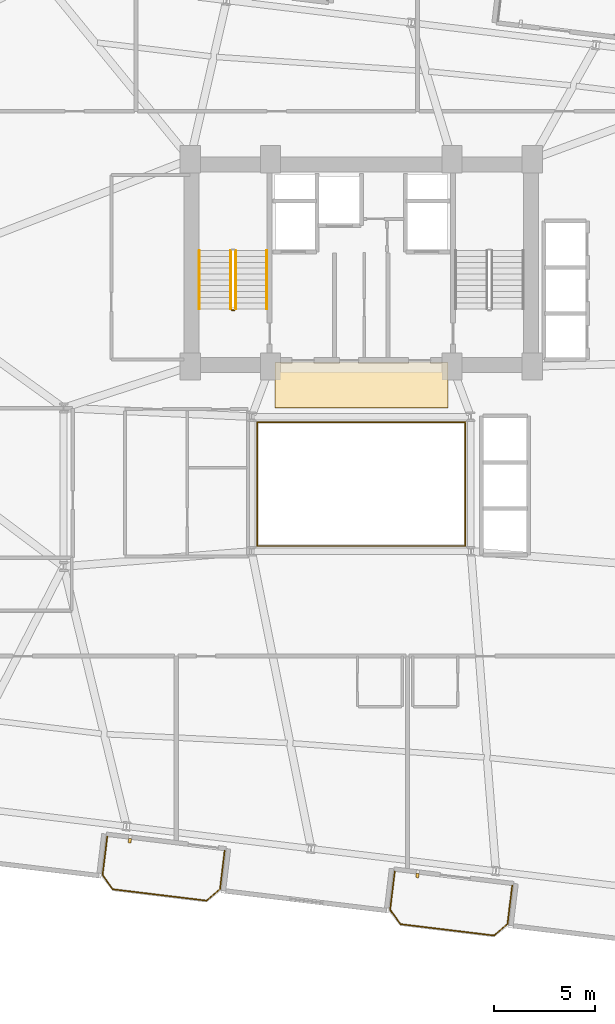
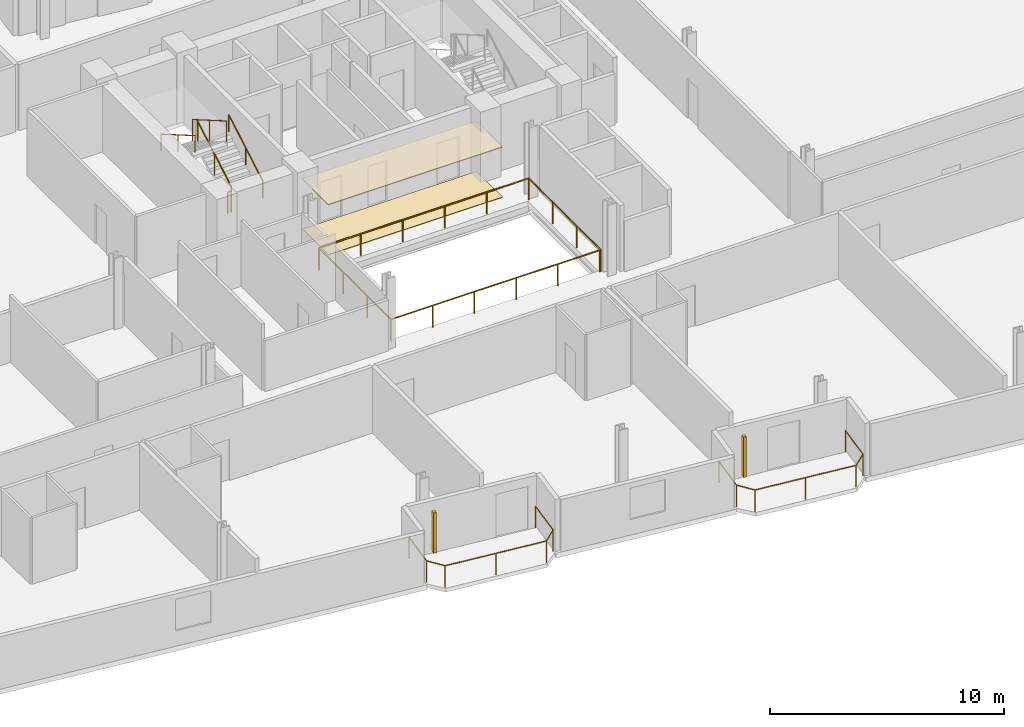
# One storey, part 24 of 25: 9 railings, 2 coverings, 2 shading devices.
"""IFC4 building model written with IfcOpenShell, lengths in metres."""

from ifc_helpers import new_model, si_unit, direction, frame, origin, origin_2d, place, context, subcontext, project, spatial, rectangle, circle, extrude, source, transform, mapped, material, layer, layer_set, type_object, element, save


model = new_model("IFC4")

# Units and contexts
model_context = context("Model", 3, precision=1e-05, world=origin(), true_north=direction((0.0, 1.0)))
body_context = subcontext(model_context, "Body", "Model", "MODEL_VIEW")
ifc_project = project(units=[si_unit("LENGTHUNIT", "METRE"), si_unit("AREAUNIT", "SQUARE_METRE"), si_unit("VOLUMEUNIT", "CUBIC_METRE"), si_unit("PLANEANGLEUNIT", "RADIAN"), si_unit("MASSUNIT", "GRAM", prefix="KILO")], contexts=[model_context])

# Site, building, storey
site_placement = place(None, origin())
site = spatial("IfcSite", under=ifc_project, at=site_placement, CompositionType="ELEMENT")
building_placement = place(site_placement, origin())
building = spatial("IfcBuilding", under=site, at=building_placement, Name="Varnelok Gate Tower", CompositionType="ELEMENT")
storey_placement = place(building_placement, frame((0.0, 0.0, 132.800048828125)))
storey = spatial("IfcBuildingStorey", under=building, at=storey_placement, Name="L33", CompositionType="ELEMENT", Elevation=132.800048828125)

# Railings
ifc_material_1 = material(Name="Tempered Laminated Balustrade Glass", Category="glass")
railing_type_1 = type_object("IfcRailingType", Name="RL-ATR-GUARD1150", PredefinedType="GUARDRAIL", material=ifc_material_1)
railing_1_placement = place(storey_placement, frame((34.02001953125, 25.929931640625, 0.0)))
element("IfcRailing", 1, at=railing_1_placement, inside=storey, type_object=railing_type_1, Name="L33 Internal Atrium South-West Guardrail", PredefinedType="GUARDRAIL", context=body_context, shape_type="SweptSolid", body=[
    extrude(circle(Radius=0.02392578125, at=origin_2d()), frame((0.0, 0.0, 1.1259765625), z_axis=(0.0, -1.0, 0.0), x_axis=(1.0, 0.0, 0.0)), (0.0, 0.0, 1.0), 6.10986328125),
    extrude(circle(Radius=0.02392578125, at=origin_2d()), frame((0.0, -6.10986328125, 1.1259765625), z_axis=(1.0, 0.0, 0.0), x_axis=(0.0, 1.0, 0.0)), (0.0, 0.0, 1.0), 10.31005859375),
    extrude(circle(Radius=0.02099609375, at=origin_2d()), origin(), (0.0, 0.0, 1.0), 1.101806640625),
    extrude(circle(Radius=0.02099609375, at=origin_2d()), frame((0.0, -2.03662109375, 0.0)), (0.0, 0.0, 1.0), 1.101806640625),
    extrude(circle(Radius=0.02099609375, at=origin_2d()), frame((0.0, -4.0732421875, 0.0)), (0.0, 0.0, 1.0), 1.101806640625),
    extrude(circle(Radius=0.02099609375, at=origin_2d()), frame((0.0, -6.10986328125, 0.0)), (0.0, 0.0, 1.0), 1.101806640625),
    extrude(circle(Radius=0.02099609375, at=origin_2d()), frame((2.06201171875, -6.10986328125, 0.0)), (0.0, 0.0, 1.0), 1.101806640625),
    extrude(circle(Radius=0.02099609375, at=origin_2d()), frame((4.1240234375, -6.10986328125, 0.0)), (0.0, 0.0, 1.0), 1.101806640625),
    extrude(circle(Radius=0.02099609375, at=origin_2d()), frame((6.18603515625, -6.10986328125, 0.0)), (0.0, 0.0, 1.0), 1.101806640625),
    extrude(circle(Radius=0.02099609375, at=origin_2d()), frame((8.248046875, -6.10986328125, 0.0)), (0.0, 0.0, 1.0), 1.101806640625),
    extrude(circle(Radius=0.02099609375, at=origin_2d()), frame((10.31005859375, -6.10986328125, 0.0)), (0.0, 0.0, 1.0), 1.101806640625),
])
railing_2_placement = place(storey_placement, frame((44.3798828125, 19.820068359375, 0.0)))
element("IfcRailing", 2, at=railing_2_placement, inside=storey, type_object=railing_type_1, Name="L33 Internal Atrium North-East Guardrail", PredefinedType="GUARDRAIL", context=body_context, shape_type="SweptSolid", body=[
    extrude(circle(Radius=0.02392578125, at=origin_2d()), frame((0.0, 0.0, 1.1259765625), z_axis=(0.0, 1.0, 0.0), x_axis=(-1.0, 0.0, 0.0)), (0.0, 0.0, 1.0), 6.159912109375),
    extrude(circle(Radius=0.02392578125, at=origin_2d()), frame((0.0, 6.159912109375, 1.1259765625), z_axis=(-1.0, 0.0, 0.0), x_axis=(0.0, -1.0, 0.0)), (0.0, 0.0, 1.0), 10.35986328125),
    extrude(circle(Radius=0.02099609375, at=origin_2d()), origin(), (0.0, 0.0, 1.0), 1.101806640625),
    extrude(circle(Radius=0.02099609375, at=origin_2d()), frame((0.0, 2.05322265625, 0.0)), (0.0, 0.0, 1.0), 1.101806640625),
    extrude(circle(Radius=0.02099609375, at=origin_2d()), frame((0.0, 4.106689453125, 0.0)), (0.0, 0.0, 1.0), 1.101806640625),
    extrude(circle(Radius=0.02099609375, at=origin_2d()), frame((0.0, 6.159912109375, 0.0)), (0.0, 0.0, 1.0), 1.101806640625),
    extrude(circle(Radius=0.02099609375, at=origin_2d()), frame((-2.072021484375, 6.159912109375, 0.0)), (0.0, 0.0, 1.0), 1.101806640625),
    extrude(circle(Radius=0.02099609375, at=origin_2d()), frame((-4.14404296875, 6.159912109375, 0.0)), (0.0, 0.0, 1.0), 1.101806640625),
    extrude(circle(Radius=0.02099609375, at=origin_2d()), frame((-6.2158203125, 6.159912109375, 0.0)), (0.0, 0.0, 1.0), 1.101806640625),
    extrude(circle(Radius=0.02099609375, at=origin_2d()), frame((-8.287841796875, 6.159912109375, 0.0)), (0.0, 0.0, 1.0), 1.101806640625),
    extrude(circle(Radius=0.02099609375, at=origin_2d()), frame((-10.35986328125, 6.159912109375, 0.0)), (0.0, 0.0, 1.0), 1.101806640625),
])
ifc_material_2 = material(Name="Low-E Laminated Double Glazing IGU", Category="glass")
railing_type_2 = type_object("IfcRailingType", Name="RL-BALC-1150", PredefinedType="BALUSTRADE", material=ifc_material_2)
railing_3_placement = place(storey_placement, frame((26.5703125, 5.375, 0.0)))
element("IfcRailing", 3, at=railing_3_placement, inside=storey, type_object=railing_type_2, Name="L33 South Terrace Balustrade 1", PredefinedType="BALUSTRADE", context=body_context, shape_type="SweptSolid", body=[
    extrude(circle(Radius=0.02392578125, at=origin_2d()), frame((0.0, 0.0, 1.1259765625), z_axis=(-0.120293392036, -0.992738384386, 0.0), x_axis=(0.992738384386, -0.120293392036, 0.0)), (0.0, 0.0, 1.0), 1.919921875),
    extrude(circle(Radius=0.02392578125, at=origin_2d()), frame((-0.23095703125, -1.906005859375, 1.1259765625), z_axis=(0.577971037086, -0.816057277579, 0.0), x_axis=(0.816057277579, 0.577971037086, 0.0)), (0.0, 0.0, 1.0), 0.877685546875),
    extrude(circle(Radius=0.02392578125, at=origin_2d()), frame((0.2763671875, -2.622314453125, 1.1259765625), z_axis=(0.992737542139, -0.120300342591, 0.0), x_axis=(0.120300342591, 0.992737542139, 0.0)), (0.0, 0.0, 1.0), 4.7001953125),
    extrude(circle(Radius=0.02392578125, at=origin_2d()), frame((4.9423828125, -3.187744140625, 1.1259765625), z_axis=(0.756303655992, 0.654220742513, 0.0), x_axis=(-0.654220742513, 0.756303655992, 0.0)), (0.0, 0.0, 1.0), 0.877685546875),
    extrude(circle(Radius=0.02392578125, at=origin_2d()), frame((5.606201171875, -2.613525390625, 1.1259765625), z_axis=(0.120418709125, 0.992723191274, 0.0), x_axis=(-0.992723191274, 0.120418709125, 0.0)), (0.0, 0.0, 1.0), 1.919921875),
    extrude(circle(Radius=0.02099609375, at=origin_2d()), origin(), (0.0, 0.0, 1.0), 1.101806640625),
    extrude(circle(Radius=0.02099609375, at=origin_2d()), frame((-0.23095703125, -1.906005859375, 0.0)), (0.0, 0.0, 1.0), 1.101806640625),
    extrude(circle(Radius=0.02099609375, at=origin_2d()), frame((0.2763671875, -2.622314453125, 0.0)), (0.0, 0.0, 1.0), 1.101806640625),
    extrude(circle(Radius=0.02099609375, at=origin_2d()), frame((2.609375, -2.905029296875, 0.0)), (0.0, 0.0, 1.0), 1.101806640625),
    extrude(circle(Radius=0.02099609375, at=origin_2d()), frame((4.9423828125, -3.187744140625, 0.0)), (0.0, 0.0, 1.0), 1.101806640625),
    extrude(circle(Radius=0.02099609375, at=origin_2d()), frame((5.606201171875, -2.613525390625, 0.0)), (0.0, 0.0, 1.0), 1.101806640625),
    extrude(circle(Radius=0.02099609375, at=origin_2d()), frame((5.83740234375, -0.70751953125, 0.0)), (0.0, 0.0, 1.0), 1.101806640625),
])
railing_4_placement = place(storey_placement, frame((40.86572265625, 3.64208984375, 0.0)))
element("IfcRailing", 4, at=railing_4_placement, inside=storey, type_object=railing_type_2, Name="L33 South Terrace Balustrade 2", PredefinedType="BALUSTRADE", context=body_context, shape_type="SweptSolid", body=[
    extrude(circle(Radius=0.02392578125, at=origin_2d()), frame((0.0, 0.0, 1.1259765625), z_axis=(-0.120418709125, -0.992723191274, 0.0), x_axis=(0.992723191274, -0.120418709125, 0.0)), (0.0, 0.0, 1.0), 1.919921875),
    extrude(circle(Radius=0.02392578125, at=origin_2d()), frame((-0.231201171875, -1.906005859375, 1.1259765625), z_axis=(0.57815621837, -0.815926091726, 0.0), x_axis=(0.815926091726, 0.57815621837, 0.0)), (0.0, 0.0, 1.0), 0.8779296875),
    extrude(circle(Radius=0.02392578125, at=origin_2d()), frame((0.2763671875, -2.622314453125, 1.1259765625), z_axis=(0.99273133746, -0.120351533534, 0.0), x_axis=(0.120351533534, 0.99273133746, 0.0)), (0.0, 0.0, 1.0), 4.7001953125),
    extrude(circle(Radius=0.02392578125, at=origin_2d()), frame((4.9423828125, -3.18798828125, 1.1259765625), z_axis=(0.756166036083, 0.654379802465, 0.0), x_axis=(-0.654379802465, 0.756166036083, 0.0)), (0.0, 0.0, 1.0), 0.8779296875),
    extrude(circle(Radius=0.02392578125, at=origin_2d()), frame((5.606201171875, -2.613525390625, 1.1259765625), z_axis=(0.120293392036, 0.992738384386, 0.0), x_axis=(-0.992738384386, 0.120293392036, 0.0)), (0.0, 0.0, 1.0), 1.919921875),
    extrude(circle(Radius=0.02099609375, at=origin_2d()), origin(), (0.0, 0.0, 1.0), 1.101806640625),
    extrude(circle(Radius=0.02099609375, at=origin_2d()), frame((-0.231201171875, -1.906005859375, 0.0)), (0.0, 0.0, 1.0), 1.101806640625),
    extrude(circle(Radius=0.02099609375, at=origin_2d()), frame((0.2763671875, -2.622314453125, 0.0)), (0.0, 0.0, 1.0), 1.101806640625),
    extrude(circle(Radius=0.02099609375, at=origin_2d()), frame((2.609375, -2.9052734375, 0.0)), (0.0, 0.0, 1.0), 1.101806640625),
    extrude(circle(Radius=0.02099609375, at=origin_2d()), frame((4.9423828125, -3.18798828125, 0.0)), (0.0, 0.0, 1.0), 1.101806640625),
    extrude(circle(Radius=0.02099609375, at=origin_2d()), frame((5.606201171875, -2.613525390625, 0.0)), (0.0, 0.0, 1.0), 1.101806640625),
    extrude(circle(Radius=0.02099609375, at=origin_2d()), frame((5.837158203125, -0.70751953125, 0.0)), (0.0, 0.0, 1.0), 1.101806640625),
])
ifc_material_3 = material(Name="Brushed Stainless Steel AISI 316", Category="steel")
railing_type_3 = type_object("IfcRailingType", Name="RL-HANDRAIL-900", PredefinedType="HANDRAIL", material=ifc_material_3)
railing_5_placement = place(storey_placement, frame((34.5, 31.60009765625, 0.168212890625)))
element("IfcRailing", 5, at=railing_5_placement, inside=storey, type_object=railing_type_3, Name="L33 ST-1 stair handrail 1", PredefinedType="HANDRAIL", context=body_context, shape_type="SweptSolid", body=[
    extrude(circle(Radius=0.02392578125, at=origin_2d()), frame((0.0, 0.0, 0.8759765625), z_axis=(0.0, 0.86507038078, 0.501650512107), x_axis=(-1.0, 0.0, 0.0)), (0.0, 0.0, 1.0), 3.352294921875),
    extrude(circle(Radius=0.02099609375, at=origin_2d()), origin(), (0.0, 0.0, 1.0), 0.851806640625),
    extrude(circle(Radius=0.02099609375, at=origin_2d()), frame((0.0, 1.449951171875, 0.8408203125)), (0.0, 0.0, 1.0), 0.851806640625),
    extrude(circle(Radius=0.02099609375, at=origin_2d()), frame((0.0, 2.89990234375, 1.681640625)), (0.0, 0.0, 1.0), 0.851806640625),
])
railing_6_placement = place(storey_placement, frame((31.14990234375, 34.5, 2.01806640625)))
element("IfcRailing", 6, at=railing_6_placement, inside=storey, type_object=railing_type_3, Name="L33 ST-1 stair handrail 2", PredefinedType="HANDRAIL", context=body_context, shape_type="SweptSolid", body=[
    extrude(circle(Radius=0.02392578125, at=origin_2d()), frame((0.0, 0.0, 0.8759765625), z_axis=(0.0, -0.865038774852, 0.501705010941), x_axis=(1.0, 0.0, 0.0)), (0.0, 0.0, 1.0), 3.352294921875),
    extrude(circle(Radius=0.02099609375, at=origin_2d()), origin(), (0.0, 0.0, 1.0), 0.851806640625),
    extrude(circle(Radius=0.02099609375, at=origin_2d()), frame((0.0, -1.449951171875, 0.8408203125)), (0.0, 0.0, 1.0), 0.851806640625),
    extrude(circle(Radius=0.02099609375, at=origin_2d()), frame((0.0, -2.89990234375, 1.681884765625)), (0.0, 0.0, 1.0), 0.851806640625),
])
ifc_material_4 = material(Name="Galvanized Steel Grade S350GD", Category="steel")
railing_type_4 = type_object("IfcRailingType", Name="RL-STAIR-GUARD1120", PredefinedType="GUARDRAIL", material=ifc_material_4)
railing_7_placement = place(storey_placement, frame((32.949951171875, 31.60009765625, 0.168212890625)))
element("IfcRailing", 7, at=railing_7_placement, inside=storey, type_object=railing_type_4, Name="L33 ST-1 stair guard 1", PredefinedType="GUARDRAIL", context=body_context, shape_type="SweptSolid", body=[
    extrude(circle(Radius=0.02392578125, at=origin_2d()), frame((0.0, 0.0, 1.09619140625), z_axis=(0.0, 0.86507038078, 0.501650512107), x_axis=(-1.0, 0.0, 0.0)), (0.0, 0.0, 1.0), 3.352294921875),
    extrude(circle(Radius=0.02099609375, at=origin_2d()), origin(), (0.0, 0.0, 1.0), 1.072021484375),
    extrude(circle(Radius=0.02099609375, at=origin_2d()), frame((0.0, 1.449951171875, 0.8408203125)), (0.0, 0.0, 1.0), 1.072021484375),
    extrude(circle(Radius=0.02099609375, at=origin_2d()), frame((0.0, 2.89990234375, 1.681640625)), (0.0, 0.0, 1.0), 1.072021484375),
])
railing_8_placement = place(storey_placement, frame((32.699951171875, 34.5, 2.01806640625)))
element("IfcRailing", 8, at=railing_8_placement, inside=storey, type_object=railing_type_4, Name="L33 ST-1 stair guard 3", PredefinedType="GUARDRAIL", context=body_context, shape_type="SweptSolid", body=[
    extrude(circle(Radius=0.02392578125, at=origin_2d()), frame((0.0, 0.0, 1.09619140625), z_axis=(0.0, -0.865038774852, 0.501705010941), x_axis=(1.0, 0.0, 0.0)), (0.0, 0.0, 1.0), 3.352294921875),
    extrude(circle(Radius=0.02099609375, at=origin_2d()), origin(), (0.0, 0.0, 1.0), 1.072021484375),
    extrude(circle(Radius=0.02099609375, at=origin_2d()), frame((0.0, -1.449951171875, 0.8408203125)), (0.0, 0.0, 1.0), 1.072021484375),
    extrude(circle(Radius=0.02099609375, at=origin_2d()), frame((0.0, -2.89990234375, 1.681884765625)), (0.0, 0.0, 1.0), 1.072021484375),
])
railing_9_placement = place(storey_placement, frame((32.89990234375, 31.550048828125, 0.0)))
element("IfcRailing", 9, at=railing_9_placement, inside=storey, type_object=railing_type_4, Name="L33 ST-1 stair guard 4", PredefinedType="GUARDRAIL", context=body_context, shape_type="SweptSolid", body=[
    extrude(circle(Radius=0.02392578125, at=origin_2d()), frame((0.0, 0.0, 1.09619140625), z_axis=(-1.0, 0.0, 0.0), x_axis=(0.0, -1.0, 0.0)), (0.0, 0.0, 1.0), 0.14990234375),
    extrude(circle(Radius=0.02099609375, at=origin_2d()), origin(), (0.0, 0.0, 1.0), 1.072021484375),
    extrude(circle(Radius=0.02099609375, at=origin_2d()), frame((-0.14990234375, 0.0, 0.0)), (0.0, 0.0, 1.0), 1.072021484375),
])

# Shading devices
ifc_material_5 = material(Name="Glazed Architectural Terracotta Ceramic", Category="masonry")
shading_device_type = type_object("IfcShadingDeviceType", Name="SHD-TERRA-FIN", PredefinedType="USERDEFINED", material=ifc_material_5)
shared_shape_1 = source(origin(), body_context, "Body", "SweptSolid", [
    extrude(rectangle(XDim=0.139892578125, YDim=0.219970703125, at=origin_2d()), origin(), (0.0, 0.0, 1.0), 2.10009765625),
])
for number, where, z_axis, x_axis, name in (
    (10, (27.693603515625, 5.16845703125, 0.099853515625), (0.0, 0.0, 1.0), (0.992732158755, -0.12034475881, 0.0), "L33 Terracotta Ceramic Baguette Sunscreen 1.1"),
    (11, (41.989013671875, 3.435546875, 0.099853515625), (0.0, 0.0, 1.0), (0.992732158755, -0.12034475881, 0.0), "L33 Terracotta Ceramic Baguette Sunscreen 2.1"),
):
    element("IfcShadingDevice", number, at=place(storey_placement, frame(where, z_axis=z_axis, x_axis=x_axis)), inside=storey, type_object=shading_device_type, Name=name, ObjectType="BAGUETTE", PredefinedType="USERDEFINED", context=body_context, shape_type="MappedRepresentation", body=[
        mapped(shared_shape_1, transform((0.0, 0.0, 0.0), scale=1.0)),
    ])

# Coverings
ifc_material_6 = material(Name="Honed Travertine Stone Flooring", Category="masonry")
ifc_layer_1 = layer(ifc_material_6, 0.02490234375)
ifc_layer_set_1 = layer_set([ifc_layer_1], Name="Honed Travertine Stone Flooring")
covering_type_1 = type_object("IfcCoveringType", Name="COV-FLOR-STONE", PredefinedType="FLOORING", material=ifc_layer_set_1)
shared_shape_2 = source(origin(), body_context, "Body", "SweptSolid", [
    extrude(rectangle(XDim=8.60009765625, YDim=2.219970703125, at=origin_2d()), origin(), (0.0, 0.0, 1.0), 0.02490234375),
])
covering_1_placement = place(storey_placement, frame((39.199951171875, 27.800048828125, 0.0), z_axis=(0.0, 0.0, 1.0), x_axis=(1.0, 0.0, 0.0)))
element("IfcCovering", 12, at=covering_1_placement, inside=storey, type_object=covering_type_1, Name="L33 Core Gallery Stone Flooring", PredefinedType="FLOORING", context=body_context, shape_type="MappedRepresentation", body=[
    mapped(shared_shape_2, transform((0.0, 0.0, 0.0), scale=1.0)),
])
ifc_material_7 = material(Name="Mineral Fiber Acoustic Ceiling Tile")
ifc_layer_2 = layer(ifc_material_7, 0.0400390625)
ifc_layer_set_2 = layer_set([ifc_layer_2], Name="Mineral Fiber Acoustic Ceiling Tile")
covering_type_2 = type_object("IfcCoveringType", Name="COV-CEIL-ACOUST", PredefinedType="CEILING", material=ifc_layer_set_2)
shared_shape_3 = source(origin(), body_context, "Body", "SweptSolid", [
    extrude(rectangle(XDim=8.60009765625, YDim=2.239990234375, at=origin_2d()), origin(), (0.0, 0.0, 1.0), 0.0400390625),
])
covering_2_placement = place(storey_placement, frame((39.199951171875, 27.820068359375, 2.599853515625), z_axis=(0.0, 0.0, 1.0), x_axis=(1.0, 0.0, 0.0)))
element("IfcCovering", 13, at=covering_2_placement, inside=storey, type_object=covering_type_2, Name="L33 Core Gallery Acoustic Ceiling", PredefinedType="CEILING", context=body_context, shape_type="MappedRepresentation", body=[
    mapped(shared_shape_3, transform((0.0, 0.0, 0.0), scale=1.0)),
])

save(model, "model.ifc")
